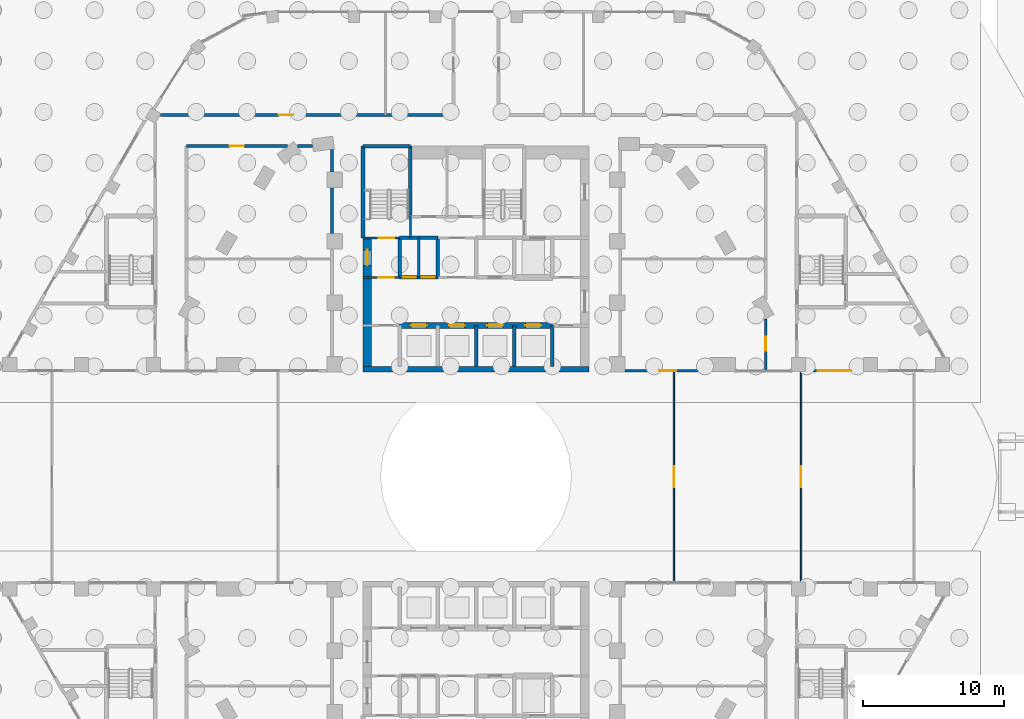
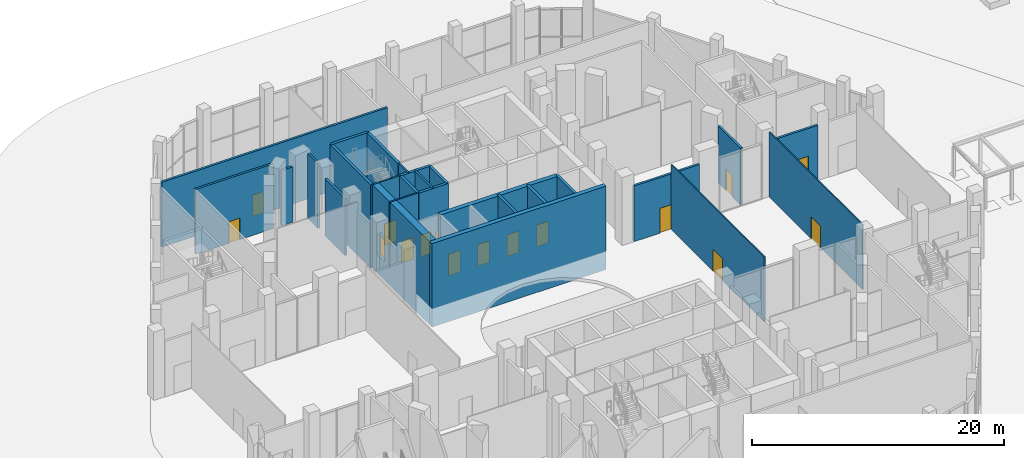
# One storey, part 28 of 44: 27 walls, 16 doors, 16 openings.
"""IFC4 building model written with IfcOpenShell, lengths in metres."""

from ifc_helpers import new_model, si_unit, direction, frame, frame_2d, origin, place, context, subcontext, project, spatial, rectangle, extrude, material, layer, layer_set, type_object, element, fill, save


model = new_model("IFC4")

# Units and contexts
model_context = context("Model", 3, precision=1e-05, world=origin(), true_north=direction((0.0, 1.0)))
body_context = subcontext(model_context, "Body", "Model", "MODEL_VIEW")
ifc_project = project(units=[si_unit("LENGTHUNIT", "METRE"), si_unit("AREAUNIT", "SQUARE_METRE"), si_unit("VOLUMEUNIT", "CUBIC_METRE"), si_unit("PLANEANGLEUNIT", "RADIAN"), si_unit("MASSUNIT", "GRAM", prefix="KILO")], contexts=[model_context])

# Site, building, storey
site_placement = place(None, origin())
site = spatial("IfcSite", under=ifc_project, at=site_placement, CompositionType="ELEMENT")
building_placement = place(site_placement, origin())
building = spatial("IfcBuilding", under=site, at=building_placement, Name="Nakaniwa Court", CompositionType="ELEMENT")
storey_placement = place(building_placement, origin())
storey = spatial("IfcBuildingStorey", under=building, at=storey_placement, Name="L00", CompositionType="ELEMENT", Elevation=0.0)

# Wall, opening, door
ifc_material_1 = material(Name="Acoustic double stud partition")
ifc_layer_1 = layer(ifc_material_1, 0.199951171875)
ifc_layer_set_1 = layer_set([ifc_layer_1], Name="Acoustic double stud partition")
wall_type_1 = type_object("IfcWallType", Name="Acoustic double stud partition 200", PredefinedType="PARTITIONING", material=ifc_layer_set_1)
wall_1_placement = place(storey_placement, frame((57.676513671875, 105.60009765625, 0.0), z_axis=(0.0, 0.0, 1.0), x_axis=(1.0, 0.0, 0.0)))
wall_1 = element("IfcWall", 1, at=wall_1_placement, inside=storey, type_object=wall_type_1, Name="Partition PW-083", PredefinedType="PARTITIONING", context=body_context, shape_type="SweptSolid", body=[
    extrude(rectangle(XDim=20.723388671875, YDim=0.199951171875, at=frame_2d((10.36181640625, 0.0))), origin(), (0.0, 0.0, 1.0), 6.300048828125),
])
opening_1_placement = place(wall_1_placement, frame((8.373046875, 0.0, 0.0)))
opening_1 = element("IfcOpeningElement", 2, at=opening_1_placement, cuts=wall_1, Name="Opening D-02-05", PredefinedType="OPENING", context=body_context, shape_type="SweptSolid", body=[
    extrude(rectangle(XDim=1.0, YDim=2.10009765625, at=frame_2d((0.5, 1.050048828125))), frame((0.0, 0.10986328125, 0.0), z_axis=(0.0, -1.0, 0.0), x_axis=(1.0, 0.0, 0.0)), (0.0, 0.0, 1.0), 0.219970703125),
])
ifc_material_2 = material(Name="Solid core timber door set, black veneer", Category="wood")
door_type_1 = type_object("IfcDoorType", Name="Internal door 1000", OperationType="NOTDEFINED", PredefinedType="DOOR", material=ifc_material_2)
door_1_placement = place(opening_1_placement, origin())
door_1 = element("IfcDoor", 3, at=door_1_placement, inside=storey, type_object=door_type_1, Name="Door D-02-05 L00-036", OperationType="SINGLE_SWING_LEFT", OverallHeight=2.10009765625, OverallWidth=1.0, PredefinedType="DOOR", context=body_context, shape_type="SweptSolid", body=[
    extrude(rectangle(XDim=1.0, YDim=2.10009765625, at=frame_2d((0.5, 1.050048828125))), frame((0.0, 0.02490234375, 0.0), z_axis=(0.0, -1.0, 0.0), x_axis=(1.0, 0.0, 0.0)), (0.0, 0.0, 1.0), 0.050048828125),
])
fill(opening_1, door_1)

wall_2_placement = place(storey_placement, frame((100.5, 87.580078125, 0.0), z_axis=(0.0, 0.0, 1.0), x_axis=(0.0, 1.0, 0.0)))
wall_2 = element("IfcWall", 4, at=wall_2_placement, inside=storey, type_object=wall_type_1, Name="Partition PW-087", PredefinedType="PARTITIONING", context=body_context, shape_type="SweptSolid", body=[
    extrude(rectangle(XDim=3.569091796875, YDim=0.199951171875, at=frame_2d((1.78466796875, 0.0))), origin(), (0.0, 0.0, 1.0), 5.530029296875),
])
opening_2_placement = place(wall_2_placement, frame((1.343017578125, 0.0, 0.0)))
opening_2 = element("IfcOpeningElement", 5, at=opening_2_placement, cuts=wall_2, Name="Opening D-02-09", PredefinedType="OPENING", context=body_context, shape_type="SweptSolid", body=[
    extrude(rectangle(XDim=1.0, YDim=2.10009765625, at=frame_2d((0.5, 1.050048828125))), frame((0.0, 0.10986328125, 0.0), z_axis=(0.0, -1.0, 0.0), x_axis=(1.0, 0.0, 0.0)), (0.0, 0.0, 1.0), 0.219970703125),
])
door_2_placement = place(opening_2_placement, origin())
door_2 = element("IfcDoor", 6, at=door_2_placement, inside=storey, type_object=door_type_1, Name="Door D-02-09 L00-040", OperationType="SINGLE_SWING_LEFT", OverallHeight=2.10009765625, OverallWidth=1.0, PredefinedType="DOOR", context=body_context, shape_type="SweptSolid", body=[
    extrude(rectangle(XDim=1.0, YDim=2.10009765625, at=frame_2d((0.5, 1.050048828125))), frame((0.0, 0.02490234375, 0.0), z_axis=(0.0, -1.0, 0.0), x_axis=(1.0, 0.0, 0.0)), (0.0, 0.0, 1.0), 0.050048828125),
])
fill(opening_2, door_2)

wall_3_placement = place(storey_placement, frame((66.64208984375, 103.39990234375, 0.0), z_axis=(0.0, 0.0, 1.0), x_axis=(-1.0, 0.0, 0.0)))
wall_3 = element("IfcWall", 7, at=wall_3_placement, inside=storey, type_object=wall_type_1, Name="Partition PW-111", PredefinedType="PARTITIONING", context=body_context, shape_type="SweptSolid", body=[
    extrude(rectangle(XDim=7.14013671875, YDim=0.199951171875, at=frame_2d((3.570068359375, 0.0))), origin(), (0.0, 0.0, 1.0), 6.300048828125),
])
opening_3_placement = place(wall_3_placement, frame((3.072998046875, 0.0, 0.0)))
opening_3 = element("IfcOpeningElement", 8, at=opening_3_placement, cuts=wall_3, Name="Opening D-02-12", PredefinedType="OPENING", context=body_context, shape_type="SweptSolid", body=[
    extrude(rectangle(XDim=1.0, YDim=2.10009765625, at=frame_2d((0.5, 1.050048828125))), frame((0.0, 0.10986328125, 0.0), z_axis=(0.0, -1.0, 0.0), x_axis=(1.0, 0.0, 0.0)), (0.0, 0.0, 1.0), 0.219970703125),
])
door_3_placement = place(opening_3_placement, origin())
door_3 = element("IfcDoor", 9, at=door_3_placement, inside=storey, type_object=door_type_1, Name="Door D-02-12 L00-043", OperationType="SINGLE_SWING_RIGHT", OverallHeight=2.10009765625, OverallWidth=1.0, PredefinedType="DOOR", context=body_context, shape_type="SweptSolid", body=[
    extrude(rectangle(XDim=1.0, YDim=2.10009765625, at=frame_2d((0.5, 1.050048828125))), frame((0.0, 0.02490234375, 0.0), z_axis=(0.0, -1.0, 0.0), x_axis=(1.0, 0.0, 0.0)), (0.0, 0.0, 1.0), 0.050048828125),
])
fill(opening_3, door_3)

# Walls
wall_4_placement = place(storey_placement, frame((67.364501953125, 103.39990234375, 0.0), z_axis=(0.0, 0.0, 1.0), x_axis=(1.0, 0.0, 0.0)))
element("IfcWall", 10, at=wall_4_placement, inside=storey, type_object=wall_type_1, Name="Partition PW-112", PredefinedType="PARTITIONING", context=body_context, shape_type="SweptSolid", body=[
    extrude(rectangle(XDim=1.056884765625, YDim=0.199951171875, at=frame_2d((0.5283203125, 0.0))), origin(), (0.0, 0.0, 1.0), 5.3798828125),
])
wall_5_placement = place(storey_placement, frame((69.800048828125, 97.217041015625, 0.0), z_axis=(0.0, 0.0, 1.0), x_axis=(0.0, 1.0, 0.0)))
element("IfcWall", 11, at=wall_5_placement, inside=storey, type_object=wall_type_1, Name="Partition PW-121", PredefinedType="PARTITIONING", context=body_context, shape_type="SweptSolid", body=[
    extrude(rectangle(XDim=3.216064453125, YDim=0.199951171875, at=frame_2d((1.60791015625, 0.0))), origin(), (0.0, 0.0, 1.0), 5.530029296875),
])
wall_6_placement = place(storey_placement, frame((69.800048828125, 101.56689453125, 0.0), z_axis=(0.0, 0.0, 1.0), x_axis=(0.0, 1.0, 0.0)))
element("IfcWall", 12, at=wall_6_placement, inside=storey, type_object=wall_type_1, Name="Partition PW-122", PredefinedType="PARTITIONING", context=body_context, shape_type="SweptSolid", body=[
    extrude(rectangle(XDim=1.59423828125, YDim=0.199951171875, at=frame_2d((0.797119140625, 0.0))), origin(), (0.0, 0.0, 1.0), 6.300048828125),
])

# Wall, opening, door
ifc_material_3 = material(Name="Charcoal ceramic cladding")
ifc_layer_2 = layer(ifc_material_3, 0.02, Name="Ceramic cladding")
ifc_material_4 = material(Name="Ventilated air cavity")
ifc_layer_3 = layer(ifc_material_4, 0.04, ventilated=True, Name="Ventilated cavity")
ifc_material_5 = material(Name="Mineral wool insulation")
ifc_layer_4 = layer(ifc_material_5, 0.05, Name="Insulation")
ifc_material_6 = material(Name="Cement bonded sheathing board")
ifc_layer_5 = layer(ifc_material_6, 0.012, Name="Sheathing")
ifc_material_7 = material(Name="Cold-formed galvanised stud frame with mineral wool infill")
ifc_layer_6 = layer(ifc_material_7, 0.05, Name="Stud frame")
ifc_material_8 = material(Name="Fire-rated gypsum plasterboard lining")
ifc_layer_7 = layer(ifc_material_8, 0.028, Name="Lining")
ifc_layer_set_2 = layer_set([ifc_layer_2, ifc_layer_3, ifc_layer_4, ifc_layer_5, ifc_layer_6, ifc_layer_7], Name="Charcoal ceramic faced external wall system")
wall_type_2 = type_object("IfcWallType", Name="Black ceramic faced external wall 200", PredefinedType="SOLIDWALL", material=ifc_layer_set_2)
wall_7_placement = place(storey_placement, frame((90.5458984375, 87.5, 0.0), z_axis=(0.0, 0.0, 1.0), x_axis=(1.0, 0.0, 0.0)))
wall_7 = element("IfcWall", 13, at=wall_7_placement, inside=storey, type_object=wall_type_2, Name="L00 entrance wall 35", PredefinedType="SOLIDWALL", context=body_context, shape_type="SweptSolid", body=[
    extrude(rectangle(XDim=6.01611328125, YDim=0.199951171875, at=frame_2d((3.008056640625, 0.0))), origin(), (0.0, 0.0, 1.0), 5.39990234375),
])
opening_4_placement = place(wall_7_placement, frame((2.407958984375, 0.0, 0.0)))
opening_4 = element("IfcOpeningElement", 14, at=opening_4_placement, cuts=wall_7, Name="Opening XD3.17", PredefinedType="OPENING", context=body_context, shape_type="SweptSolid", body=[
    extrude(rectangle(XDim=1.199951171875, YDim=2.39990234375, at=frame_2d((0.60009765625, 1.199951171875))), frame((0.0, 0.10986328125, 0.0), z_axis=(0.0, -1.0, 0.0), x_axis=(1.0, 0.0, 0.0)), (0.0, 0.0, 1.0), 0.219970703125),
])
ifc_material_9 = material(Name="Black powder-coated aluminium frame with dark laminated glass", Category="aluminium")
door_type_2 = type_object("IfcDoorType", Name="Service door 1200x2400", OperationType="SINGLE_SWING_LEFT", PredefinedType="DOOR", material=ifc_material_9)
door_4_placement = place(opening_4_placement, origin())
door_4 = element("IfcDoor", 15, at=door_4_placement, inside=storey, type_object=door_type_2, Name="L00 service door 35-0", OperationType="SINGLE_SWING_LEFT", OverallHeight=2.39990234375, OverallWidth=1.199951171875, PredefinedType="DOOR", context=body_context, shape_type="SweptSolid", body=[
    extrude(rectangle(XDim=1.199951171875, YDim=2.39990234375, at=frame_2d((0.60009765625, 1.199951171875))), frame((0.0, 0.02490234375, 0.0), z_axis=(0.0, -1.0, 0.0), x_axis=(1.0, 0.0, 0.0)), (0.0, 0.0, 1.0), 0.050048828125),
])
fill(opening_4, door_4)

wall_8_placement = place(storey_placement, frame((103.319091796875, 87.5, 0.0), z_axis=(0.0, 0.0, 1.0), x_axis=(1.0, 0.0, 0.0)))
wall_8 = element("IfcWall", 16, at=wall_8_placement, inside=storey, type_object=wall_type_2, Name="L00 entrance wall 37", PredefinedType="SOLIDWALL", context=body_context, shape_type="SweptSolid", body=[
    extrude(rectangle(XDim=4.093994140625, YDim=0.199951171875, at=frame_2d((2.046875, 0.0))), origin(), (0.0, 0.0, 1.0), 5.39990234375),
])
opening_5_placement = place(wall_8_placement, frame((0.846923828125, 0.0, 0.0)))
opening_5 = element("IfcOpeningElement", 17, at=opening_5_placement, cuts=wall_8, Name="Opening XD2.18", PredefinedType="OPENING", context=body_context, shape_type="SweptSolid", body=[
    extrude(rectangle(XDim=2.39990234375, YDim=2.699951171875, at=frame_2d((1.199951171875, 1.35009765625))), frame((0.0, 0.10986328125, 0.0), z_axis=(0.0, -1.0, 0.0), x_axis=(1.0, 0.0, 0.0)), (0.0, 0.0, 1.0), 0.219970703125),
])
door_type_3 = type_object("IfcDoorType", Name="Residents entrance double door 2400x2700", OperationType="DOUBLE_DOOR_DOUBLE_SWING", PredefinedType="DOOR", material=ifc_material_9)
door_5_placement = place(opening_5_placement, origin())
door_5 = element("IfcDoor", 18, at=door_5_placement, inside=storey, type_object=door_type_3, Name="L00 residents entrance double door 37-0", OperationType="DOUBLE_DOOR_DOUBLE_SWING", OverallHeight=2.699951171875, OverallWidth=2.39990234375, PredefinedType="DOOR", context=body_context, shape_type="SweptSolid", body=[
    extrude(rectangle(XDim=2.39990234375, YDim=2.699951171875, at=frame_2d((1.199951171875, 1.35009765625))), frame((0.0, 0.02490234375, 0.0), z_axis=(0.0, -1.0, 0.0), x_axis=(1.0, 0.0, 0.0)), (0.0, 0.0, 1.0), 0.050048828125),
])
fill(opening_5, door_5)

ifc_material_10 = material(Name="Blockwork partition", Category="masonry")
ifc_layer_8 = layer(ifc_material_10, 0.14990234375)
ifc_layer_set_3 = layer_set([ifc_layer_8], Name="Blockwork partition")
wall_type_3 = type_object("IfcWallType", Name="Blockwork partition 150", PredefinedType="PARTITIONING", material=ifc_layer_set_3)
wall_9_placement = place(storey_placement, frame((72.0, 94.10009765625, 0.0), z_axis=(0.0, 0.0, 1.0), x_axis=(1.0, 0.0, 0.0)))
wall_9 = element("IfcWall", 19, at=wall_9_placement, inside=storey, type_object=wall_type_3, Name="Partition PW-016", PredefinedType="PARTITIONING", context=body_context, shape_type="SweptSolid", body=[
    extrude(rectangle(XDim=2.60302734375, YDim=0.14990234375, at=frame_2d((1.301513671875, 0.0))), origin(), (0.0, 0.0, 1.0), 6.300048828125),
])
opening_6_placement = place(wall_9_placement, frame((1.074951171875, 0.0, 0.0)))
opening_6 = element("IfcOpeningElement", 20, at=opening_6_placement, cuts=wall_9, Name="Opening D-08-01", PredefinedType="OPENING", context=body_context, shape_type="SweptSolid", body=[
    extrude(rectangle(XDim=1.10009765625, YDim=2.10009765625, at=frame_2d((0.550048828125, 1.050048828125))), frame((0.0, 0.0849609375, 0.0), z_axis=(0.0, -1.0, 0.0), x_axis=(1.0, 0.0, 0.0)), (0.0, 0.0, 1.0), 0.169921875),
])
ifc_material_11 = material(Name="Fire rated steel door set", Category="steel")
door_type_4 = type_object("IfcDoorType", Name="Stair lobby door 1100", OperationType="NOTDEFINED", PredefinedType="DOOR", material=ifc_material_11)
door_6_placement = place(opening_6_placement, origin())
door_6 = element("IfcDoor", 21, at=door_6_placement, inside=storey, type_object=door_type_4, Name="Door D-08-01 L00-003", OperationType="SINGLE_SWING_RIGHT", OverallHeight=2.10009765625, OverallWidth=1.10009765625, PredefinedType="DOOR", context=body_context, shape_type="SweptSolid", body=[
    extrude(rectangle(XDim=1.10009765625, YDim=2.10009765625, at=frame_2d((0.550048828125, 1.050048828125))), frame((0.0, 0.02490234375, 0.0), z_axis=(0.0, -1.0, 0.0), x_axis=(1.0, 0.0, 0.0)), (0.0, 0.0, 1.0), 0.050048828125),
])
fill(opening_6, door_6)

# Wall
wall_10_placement = place(storey_placement, frame((75.949951171875, 94.10009765625, 0.0), z_axis=(0.0, 0.0, 1.0), x_axis=(0.0, 1.0, 0.0)))
element("IfcWall", 22, at=wall_10_placement, inside=storey, type_object=wall_type_3, Name="Partition PW-023", PredefinedType="PARTITIONING", context=body_context, shape_type="SweptSolid", body=[
    extrude(rectangle(XDim=2.7998046875, YDim=0.14990234375, at=frame_2d((1.39990234375, 0.0))), origin(), (0.0, 0.0, 1.0), 6.300048828125),
])

# Wall, opening, door
ifc_material_12 = material(Name="Concrete C100/115", Category="concrete")
ifc_layer_9 = layer(ifc_material_12, 0.60009765625)
ifc_layer_set_4 = layer_set([ifc_layer_9], Name="Concrete C100/115")
wall_type_4 = type_object("IfcWallType", Name="Concrete core side wall 600 C100", PredefinedType="SHEAR", material=ifc_layer_set_4)
wall_11_placement = place(storey_placement, frame((72.300048828125, 96.89990234375, -1.800048828125), z_axis=(0.0, 0.0, 1.0), x_axis=(0.0, -1.0, 0.0)))
wall_11 = element("IfcWall", 23, at=wall_11_placement, inside=storey, type_object=wall_type_4, Name="Core wall SW-04", PredefinedType="SHEAR", context=body_context, shape_type="SweptSolid", body=[
    extrude(rectangle(XDim=9.099853515625, YDim=0.60009765625, at=frame_2d((4.5498046875, 0.0))), origin(), (0.0, 0.0, 1.0), 8.10009765625),
])
opening_7_placement = place(wall_11_placement, frame((0.85009765625, 0.0, 1.800048828125)))
opening_7 = element("IfcOpeningElement", 24, at=opening_7_placement, cuts=wall_11, Name="Opening D-09-03", PredefinedType="OPENING", context=body_context, shape_type="SweptSolid", body=[
    extrude(rectangle(XDim=1.10009765625, YDim=2.10009765625, at=frame_2d((0.550048828125, 1.050048828125))), frame((0.0, 0.31005859375, 0.0), z_axis=(0.0, -1.0, 0.0), x_axis=(1.0, 0.0, 0.0)), (0.0, 0.0, 1.0), 0.6201171875),
])
door_type_5 = type_object("IfcDoorType", Name="Stair door 1100", OperationType="NOTDEFINED", PredefinedType="DOOR", material=ifc_material_11)
door_7_placement = place(opening_7_placement, origin())
door_7 = element("IfcDoor", 25, at=door_7_placement, inside=storey, type_object=door_type_5, Name="Door D-09-03 L00-027", OperationType="SINGLE_SWING_LEFT", OverallHeight=2.10009765625, OverallWidth=1.10009765625, PredefinedType="DOOR", context=body_context, shape_type="SweptSolid", body=[
    extrude(rectangle(XDim=1.10009765625, YDim=2.10009765625, at=frame_2d((0.550048828125, 1.050048828125))), frame((0.0, 0.02490234375, 0.0), z_axis=(0.0, -1.0, 0.0), x_axis=(1.0, 0.0, 0.0)), (0.0, 0.0, 1.0), 0.050048828125),
])
fill(opening_7, door_7)

# Wall, openings, doors
ifc_layer_10 = layer(ifc_material_12, 0.39990234375)
ifc_layer_set_5 = layer_set([ifc_layer_10], Name="Concrete C100/115")
wall_type_5 = type_object("IfcWallType", Name="Concrete core spine wall 400 C100", PredefinedType="SHEAR", material=ifc_layer_set_5)
wall_12_placement = place(storey_placement, frame((74.60009765625, 90.699951171875, -1.800048828125), z_axis=(0.0, 0.0, 1.0), x_axis=(1.0, 0.0, 0.0)))
wall_12 = element("IfcWall", 26, at=wall_12_placement, inside=storey, type_object=wall_type_5, Name="Core wall SW-07", PredefinedType="SHEAR", context=body_context, shape_type="SweptSolid", body=[
    extrude(rectangle(XDim=10.7998046875, YDim=0.39990234375, at=frame_2d((5.39990234375, 0.0))), origin(), (0.0, 0.0, 1.0), 8.10009765625),
])
opening_8_placement = place(wall_12_placement, frame((0.800048828125, 0.0, 1.800048828125)))
opening_8 = element("IfcOpeningElement", 27, at=opening_8_placement, cuts=wall_12, Name="Opening LD01", PredefinedType="OPENING", context=body_context, shape_type="SweptSolid", body=[
    extrude(rectangle(XDim=1.10009765625, YDim=2.10009765625, at=frame_2d((0.550048828125, 1.050048828125))), frame((0.0, 0.2099609375, 0.0), z_axis=(0.0, -1.0, 0.0), x_axis=(1.0, 0.0, 0.0)), (0.0, 0.0, 1.0), 0.419921875),
])
opening_9_placement = place(wall_12_placement, frame((3.5, 0.0, 1.800048828125)))
opening_9 = element("IfcOpeningElement", 28, at=opening_9_placement, cuts=wall_12, Name="Opening LD02", PredefinedType="OPENING", context=body_context, shape_type="SweptSolid", body=[
    extrude(rectangle(XDim=1.10009765625, YDim=2.10009765625, at=frame_2d((0.550048828125, 1.050048828125))), frame((0.0, 0.2099609375, 0.0), z_axis=(0.0, -1.0, 0.0), x_axis=(1.0, 0.0, 0.0)), (0.0, 0.0, 1.0), 0.419921875),
])
opening_10_placement = place(wall_12_placement, frame((6.199951171875, 0.0, 1.800048828125)))
opening_10 = element("IfcOpeningElement", 29, at=opening_10_placement, cuts=wall_12, Name="Opening LD03", PredefinedType="OPENING", context=body_context, shape_type="SweptSolid", body=[
    extrude(rectangle(XDim=1.10009765625, YDim=2.10009765625, at=frame_2d((0.550048828125, 1.050048828125))), frame((0.0, 0.2099609375, 0.0), z_axis=(0.0, -1.0, 0.0), x_axis=(1.0, 0.0, 0.0)), (0.0, 0.0, 1.0), 0.419921875),
])
opening_11_placement = place(wall_12_placement, frame((8.89990234375, 0.0, 1.800048828125)))
opening_11 = element("IfcOpeningElement", 30, at=opening_11_placement, cuts=wall_12, Name="Opening LD04", PredefinedType="OPENING", context=body_context, shape_type="SweptSolid", body=[
    extrude(rectangle(XDim=1.10009765625, YDim=2.10009765625, at=frame_2d((0.550048828125, 1.050048828125))), frame((0.0, 0.2099609375, 0.0), z_axis=(0.0, -1.0, 0.0), x_axis=(1.0, 0.0, 0.0)), (0.0, 0.0, 1.0), 0.419921875),
])
ifc_material_13 = material(Name="Stainless steel sliding lift landing door", Category="steel")
door_type_6 = type_object("IfcDoorType", Name="Lift landing door 1100", OperationType="NOTDEFINED", PredefinedType="DOOR", material=ifc_material_13)
door_8_placement = place(opening_8_placement, origin())
door_8 = element("IfcDoor", 31, at=door_8_placement, inside=storey, type_object=door_type_6, Name="Lift landing door LD01 L00-001", OperationType="SLIDING_TO_LEFT", OverallHeight=2.10009765625, OverallWidth=1.10009765625, PredefinedType="DOOR", context=body_context, shape_type="SweptSolid", body=[
    extrude(rectangle(XDim=1.10009765625, YDim=2.10009765625, at=frame_2d((0.550048828125, 1.050048828125))), frame((0.0, 0.02490234375, 0.0), z_axis=(0.0, -1.0, 0.0), x_axis=(1.0, 0.0, 0.0)), (0.0, 0.0, 1.0), 0.050048828125),
])
fill(opening_8, door_8)
door_9_placement = place(opening_9_placement, origin())
door_9 = element("IfcDoor", 32, at=door_9_placement, inside=storey, type_object=door_type_6, Name="Lift landing door LD02 L00-002", OperationType="SLIDING_TO_LEFT", OverallHeight=2.10009765625, OverallWidth=1.10009765625, PredefinedType="DOOR", context=body_context, shape_type="SweptSolid", body=[
    extrude(rectangle(XDim=1.10009765625, YDim=2.10009765625, at=frame_2d((0.550048828125, 1.050048828125))), frame((0.0, 0.02490234375, 0.0), z_axis=(0.0, -1.0, 0.0), x_axis=(1.0, 0.0, 0.0)), (0.0, 0.0, 1.0), 0.050048828125),
])
fill(opening_9, door_9)
door_10_placement = place(opening_10_placement, origin())
door_10 = element("IfcDoor", 33, at=door_10_placement, inside=storey, type_object=door_type_6, Name="Lift landing door LD03 L00-003", OperationType="SLIDING_TO_LEFT", OverallHeight=2.10009765625, OverallWidth=1.10009765625, PredefinedType="DOOR", context=body_context, shape_type="SweptSolid", body=[
    extrude(rectangle(XDim=1.10009765625, YDim=2.10009765625, at=frame_2d((0.550048828125, 1.050048828125))), frame((0.0, 0.02490234375, 0.0), z_axis=(0.0, -1.0, 0.0), x_axis=(1.0, 0.0, 0.0)), (0.0, 0.0, 1.0), 0.050048828125),
])
fill(opening_10, door_10)
door_11_placement = place(opening_11_placement, origin())
door_11 = element("IfcDoor", 34, at=door_11_placement, inside=storey, type_object=door_type_6, Name="Lift landing door LD04 L00-004", OperationType="SLIDING_TO_LEFT", OverallHeight=2.10009765625, OverallWidth=1.10009765625, PredefinedType="DOOR", context=body_context, shape_type="SweptSolid", body=[
    extrude(rectangle(XDim=1.10009765625, YDim=2.10009765625, at=frame_2d((0.550048828125, 1.050048828125))), frame((0.0, 0.02490234375, 0.0), z_axis=(0.0, -1.0, 0.0), x_axis=(1.0, 0.0, 0.0)), (0.0, 0.0, 1.0), 0.050048828125),
])
fill(opening_11, door_11)

# Wall, opening, door
ifc_layer_11 = layer(ifc_material_12, 0.14990234375)
ifc_layer_set_6 = layer_set([ifc_layer_11], Name="Concrete C100/115")
wall_type_6 = type_object("IfcWallType", Name="Concrete core wall 150 C100", PredefinedType="SHEAR", material=ifc_layer_set_6)
wall_13_placement = place(storey_placement, frame((74.60009765625, 96.89990234375, -1.800048828125), z_axis=(0.0, 0.0, 1.0), x_axis=(-1.0, 0.0, 0.0)))
wall_13 = element("IfcWall", 35, at=wall_13_placement, inside=storey, type_object=wall_type_6, Name="Core wall SW-22", PredefinedType="SHEAR", context=body_context, shape_type="SweptSolid", body=[
    extrude(rectangle(XDim=2.60009765625, YDim=0.14990234375, at=frame_2d((1.300048828125, 0.0))), origin(), (0.0, 0.0, 1.0), 8.10009765625),
])
opening_12_placement = place(wall_13_placement, frame((0.3701171875, 0.0, 1.800048828125)))
opening_12 = element("IfcOpeningElement", 36, at=opening_12_placement, cuts=wall_13, Name="Opening D-09-01", PredefinedType="OPENING", context=body_context, shape_type="SweptSolid", body=[
    extrude(rectangle(XDim=1.10009765625, YDim=2.10009765625, at=frame_2d((0.550048828125, 1.050048828125))), frame((0.0, 0.0849609375, 0.0), z_axis=(0.0, -1.0, 0.0), x_axis=(1.0, 0.0, 0.0)), (0.0, 0.0, 1.0), 0.169921875),
])
door_12_placement = place(opening_12_placement, origin())
door_12 = element("IfcDoor", 37, at=door_12_placement, inside=storey, type_object=door_type_5, Name="Door D-09-01 L00-012", OperationType="SINGLE_SWING_RIGHT", OverallHeight=2.10009765625, OverallWidth=1.10009765625, PredefinedType="DOOR", context=body_context, shape_type="SweptSolid", body=[
    extrude(rectangle(XDim=1.10009765625, YDim=2.10009765625, at=frame_2d((0.550048828125, 1.050048828125))), frame((0.0, 0.02490234375, 0.0), z_axis=(0.0, -1.0, 0.0), x_axis=(1.0, 0.0, 0.0)), (0.0, 0.0, 1.0), 0.050048828125),
])
fill(opening_12, door_12)

# Walls
wall_14_placement = place(storey_placement, frame((75.35009765625, 96.89990234375, -1.800048828125), z_axis=(0.0, 0.0, 1.0), x_axis=(0.0, 1.0, 0.0)))
element("IfcWall", 38, at=wall_14_placement, inside=storey, type_object=wall_type_6, Name="Core wall SW-27", PredefinedType="SHEAR", context=body_context, shape_type="SweptSolid", body=[
    extrude(rectangle(XDim=1.503173828125, YDim=0.14990234375, at=frame_2d((0.75146484375, 0.0))), origin(), (0.0, 0.0, 1.0), 8.10009765625),
])
ifc_layer_12 = layer(ifc_material_12, 0.25)
ifc_layer_set_7 = layer_set([ifc_layer_12], Name="Concrete C100/115")
wall_type_7 = type_object("IfcWallType", Name="Concrete core wall 250 C100", PredefinedType="SHEAR", material=ifc_layer_set_7)
wall_15_placement = place(storey_placement, frame((72.0, 103.39990234375, -1.800048828125), z_axis=(0.0, 0.0, 1.0), x_axis=(1.0, 0.0, 0.0)))
element("IfcWall", 39, at=wall_15_placement, inside=storey, type_object=wall_type_7, Name="Core wall SW-29", PredefinedType="SHEAR", context=body_context, shape_type="SweptSolid", body=[
    extrude(rectangle(XDim=3.35009765625, YDim=0.25, at=frame_2d((1.675048828125, 0.0))), origin(), (0.0, 0.0, 1.0), 8.10009765625),
])
wall_16_placement = place(storey_placement, frame((72.0, 96.89990234375, -1.800048828125), z_axis=(0.0, 0.0, 1.0), x_axis=(0.0, 1.0, 0.0)))
element("IfcWall", 40, at=wall_16_placement, inside=storey, type_object=wall_type_7, Name="Core wall SW-31", PredefinedType="SHEAR", context=body_context, shape_type="SweptSolid", body=[
    extrude(rectangle(XDim=6.5, YDim=0.25, at=frame_2d((3.25, 0.0))), origin(), (0.0, 0.0, 1.0), 8.10009765625),
])
ifc_layer_13 = layer(ifc_material_12, 0.39990234375)
ifc_layer_set_8 = layer_set([ifc_layer_13], Name="Concrete C100/115")
wall_type_8 = type_object("IfcWallType", Name="Concrete core well wall 400 C100", PredefinedType="SHEAR", material=ifc_layer_set_8)
wall_17_placement = place(storey_placement, frame((72.00390625, 87.60009765625, -1.800048828125), z_axis=(0.0, 0.0, 1.0), x_axis=(1.0, 0.0, 0.0)))
element("IfcWall", 41, at=wall_17_placement, inside=storey, type_object=wall_type_8, Name="Core wall SW-169", PredefinedType="SHEAR", context=body_context, shape_type="SweptSolid", body=[
    extrude(rectangle(XDim=15.9921875, YDim=0.39990234375, at=frame_2d((7.99609375, 0.0))), origin(), (0.0, 0.0, 1.0), 8.10009765625),
])
ifc_layer_14 = layer(ifc_material_12, 0.25)
ifc_layer_set_9 = layer_set([ifc_layer_14], Name="Concrete C100/115")
wall_type_9 = type_object("IfcWallType", Name="Concrete shaft wall 250 C100", PredefinedType="SHEAR", material=ifc_layer_set_9)
for number, where, z_axis, x_axis, name in (
    (42, (74.60009765625, 94.10009765625, -1.800048828125), (0.0, 0.0, 1.0), (0.0, 1.0, 0.0), "Core wall SW-02"),
    (43, (77.300048828125, 94.10009765625, -1.800048828125), (0.0, 0.0, 1.0), (0.0, 1.0, 0.0), "Core wall SW-06"),
):
    element("IfcWall", number, at=place(storey_placement, frame(where, z_axis=z_axis, x_axis=x_axis)), inside=storey, type_object=wall_type_9, Name=name, PredefinedType="SHEAR", context=body_context, shape_type="SweptSolid", body=[
        extrude(rectangle(XDim=2.7998046875, YDim=0.25, at=frame_2d((1.39990234375, 0.0))), origin(), (0.0, 0.0, 1.0), 8.10009765625),
    ])
for number, where, z_axis, x_axis, name in (
    (44, (80.0, 87.800048828125, -1.800048828125), (0.0, 0.0, 1.0), (0.0, 1.0, 0.0), "Core wall SW-08"),
    (45, (82.699951171875, 87.800048828125, -1.800048828125), (0.0, 0.0, 1.0), (0.0, 1.0, 0.0), "Core wall SW-10"),
    (46, (85.39990234375, 87.800048828125, -1.800048828125), (0.0, 0.0, 1.0), (0.0, 1.0, 0.0), "Core wall SW-12"),
):
    element("IfcWall", number, at=place(storey_placement, frame(where, z_axis=z_axis, x_axis=x_axis)), inside=storey, type_object=wall_type_9, Name=name, PredefinedType="SHEAR", context=body_context, shape_type="SweptSolid", body=[
        extrude(rectangle(XDim=2.89990234375, YDim=0.25, at=frame_2d((1.449951171875, 0.0))), origin(), (0.0, 0.0, 1.0), 8.10009765625),
    ])

# Wall, openings, doors
wall_18_placement = place(storey_placement, frame((74.596923828125, 94.10009765625, -1.800048828125), z_axis=(0.0, 0.0, 1.0), x_axis=(1.0, 0.0, 0.0)))
wall_18 = element("IfcWall", 47, at=wall_18_placement, inside=storey, type_object=wall_type_9, Name="Core wall SW-19", PredefinedType="SHEAR", context=body_context, shape_type="SweptSolid", body=[
    extrude(rectangle(XDim=2.7060546875, YDim=0.25, at=frame_2d((1.35302734375, 0.0))), origin(), (0.0, 0.0, 1.0), 8.10009765625),
])
opening_13_placement = place(wall_18_placement, frame((0.22802734375, 0.0, 1.800048828125)))
opening_13 = element("IfcOpeningElement", 48, at=opening_13_placement, cuts=wall_18, Name="Opening D-05-03", PredefinedType="OPENING", context=body_context, shape_type="SweptSolid", body=[
    extrude(rectangle(XDim=0.89990234375, YDim=2.10009765625, at=frame_2d((0.449951171875, 1.050048828125))), frame((0.0, 0.135009765625, 0.0), z_axis=(0.0, -1.0, 0.0), x_axis=(1.0, 0.0, 0.0)), (0.0, 0.0, 1.0), 0.27001953125),
])
opening_14_placement = place(wall_18_placement, frame((1.577880859375, 0.0, 1.800048828125)))
opening_14 = element("IfcOpeningElement", 49, at=opening_14_placement, cuts=wall_18, Name="Opening D-05-04", PredefinedType="OPENING", context=body_context, shape_type="SweptSolid", body=[
    extrude(rectangle(XDim=0.89990234375, YDim=2.10009765625, at=frame_2d((0.449951171875, 1.050048828125))), frame((0.0, 0.135009765625, 0.0), z_axis=(0.0, -1.0, 0.0), x_axis=(1.0, 0.0, 0.0)), (0.0, 0.0, 1.0), 0.27001953125),
])
door_type_7 = type_object("IfcDoorType", Name="Service room door 900", OperationType="NOTDEFINED", PredefinedType="DOOR", material=ifc_material_11)
door_13_placement = place(opening_13_placement, origin())
door_13 = element("IfcDoor", 50, at=door_13_placement, inside=storey, type_object=door_type_7, Name="Door D-05-03 L00-004", OperationType="SINGLE_SWING_LEFT", OverallHeight=2.10009765625, OverallWidth=0.89990234375, PredefinedType="DOOR", context=body_context, shape_type="SweptSolid", body=[
    extrude(rectangle(XDim=0.89990234375, YDim=2.10009765625, at=frame_2d((0.449951171875, 1.050048828125))), frame((0.0, 0.02490234375, 0.0), z_axis=(0.0, -1.0, 0.0), x_axis=(1.0, 0.0, 0.0)), (0.0, 0.0, 1.0), 0.050048828125),
])
fill(opening_13, door_13)
door_14_placement = place(opening_14_placement, origin())
door_14 = element("IfcDoor", 51, at=door_14_placement, inside=storey, type_object=door_type_7, Name="Door D-05-04 L00-005", OperationType="SINGLE_SWING_RIGHT", OverallHeight=2.10009765625, OverallWidth=0.89990234375, PredefinedType="DOOR", context=body_context, shape_type="SweptSolid", body=[
    extrude(rectangle(XDim=0.89990234375, YDim=2.10009765625, at=frame_2d((0.449951171875, 1.050048828125))), frame((0.0, 0.02490234375, 0.0), z_axis=(0.0, -1.0, 0.0), x_axis=(1.0, 0.0, 0.0)), (0.0, 0.0, 1.0), 0.050048828125),
])
fill(opening_14, door_14)

# Walls
wall_19_placement = place(storey_placement, frame((74.60009765625, 96.89990234375, -1.800048828125), z_axis=(0.0, 0.0, 1.0), x_axis=(1.0, 0.0, 0.0)))
element("IfcWall", 52, at=wall_19_placement, inside=storey, type_object=wall_type_9, Name="Core wall SW-24", PredefinedType="SHEAR", context=body_context, shape_type="SweptSolid", body=[
    extrude(rectangle(XDim=2.699951171875, YDim=0.25, at=frame_2d((1.35009765625, 0.0))), origin(), (0.0, 0.0, 1.0), 8.10009765625),
])
wall_20_placement = place(storey_placement, frame((75.35009765625, 98.39697265625, -1.800048828125), z_axis=(0.0, 0.0, 1.0), x_axis=(0.0, 1.0, 0.0)))
element("IfcWall", 53, at=wall_20_placement, inside=storey, type_object=wall_type_9, Name="Core wall SW-28", PredefinedType="SHEAR", context=body_context, shape_type="SweptSolid", body=[
    extrude(rectangle(XDim=5.0029296875, YDim=0.25, at=frame_2d((2.50146484375, 0.0))), origin(), (0.0, 0.0, 1.0), 8.10009765625),
])

# Wall, opening, door
ifc_material_14 = material(Name="Single stud plasterboard partition")
ifc_layer_15 = layer(ifc_material_14, 0.10009765625)
ifc_layer_set_10 = layer_set([ifc_layer_15], Name="Single stud plasterboard partition")
wall_type_10 = type_object("IfcWallType", Name="Single stud plasterboard partition 100", PredefinedType="PARTITIONING", material=ifc_layer_set_10)
wall_21_placement = place(storey_placement, frame((94.0, 87.39990234375, 0.0), z_axis=(0.0, 0.0, 1.0), x_axis=(0.0, -1.0, 0.0)))
wall_21 = element("IfcWall", 54, at=wall_21_placement, inside=storey, type_object=wall_type_10, Name="Partition PW-166", PredefinedType="PARTITIONING", context=body_context, shape_type="SweptSolid", body=[
    extrude(rectangle(XDim=14.7998046875, YDim=0.10009765625, at=frame_2d((7.39990234375, 0.0))), origin(), (0.0, 0.0, 1.0), 6.300048828125),
])
opening_15_placement = place(wall_21_placement, frame((6.64990234375, 0.0, 0.0)))
opening_15 = element("IfcOpeningElement", 55, at=opening_15_placement, cuts=wall_21, Name="Opening D-12-03", PredefinedType="OPENING", context=body_context, shape_type="SweptSolid", body=[
    extrude(rectangle(XDim=1.5, YDim=2.10009765625, at=frame_2d((0.75, 1.050048828125))), frame((0.0, 0.06005859375, 0.0), z_axis=(0.0, -1.0, 0.0), x_axis=(1.0, 0.0, 0.0)), (0.0, 0.0, 1.0), 0.1201171875),
])
ifc_material_15 = material(Name="Glazed timber double door set", Category="wood")
door_type_8 = type_object("IfcDoorType", Name="Double door 1500", OperationType="NOTDEFINED", PredefinedType="DOOR", material=ifc_material_15)
door_15_placement = place(opening_15_placement, origin())
door_15 = element("IfcDoor", 56, at=door_15_placement, inside=storey, type_object=door_type_8, Name="Door D-12-03 L00-065", OperationType="DOUBLE_DOOR_SINGLE_SWING", OverallHeight=2.10009765625, OverallWidth=1.5, PredefinedType="DOOR", context=body_context, shape_type="SweptSolid", body=[
    extrude(rectangle(XDim=1.5, YDim=2.10009765625, at=frame_2d((0.75, 1.050048828125))), frame((0.0, 0.02490234375, 0.0), z_axis=(0.0, -1.0, 0.0), x_axis=(1.0, 0.0, 0.0)), (0.0, 0.0, 1.0), 0.050048828125),
])
fill(opening_15, door_15)

wall_22_placement = place(storey_placement, frame((103.0, 87.39990234375, 0.0), z_axis=(0.0, 0.0, 1.0), x_axis=(0.0, -1.0, 0.0)))
wall_22 = element("IfcWall", 57, at=wall_22_placement, inside=storey, type_object=wall_type_10, Name="Partition PW-167", PredefinedType="PARTITIONING", context=body_context, shape_type="SweptSolid", body=[
    extrude(rectangle(XDim=14.7998046875, YDim=0.10009765625, at=frame_2d((7.39990234375, 0.0))), origin(), (0.0, 0.0, 1.0), 6.300048828125),
])
opening_16_placement = place(wall_22_placement, frame((6.64990234375, 0.0, 0.0)))
opening_16 = element("IfcOpeningElement", 58, at=opening_16_placement, cuts=wall_22, Name="Opening D-12-04", PredefinedType="OPENING", context=body_context, shape_type="SweptSolid", body=[
    extrude(rectangle(XDim=1.5, YDim=2.10009765625, at=frame_2d((0.75, 1.050048828125))), frame((0.0, 0.06005859375, 0.0), z_axis=(0.0, -1.0, 0.0), x_axis=(1.0, 0.0, 0.0)), (0.0, 0.0, 1.0), 0.1201171875),
])
door_16_placement = place(opening_16_placement, origin())
door_16 = element("IfcDoor", 59, at=door_16_placement, inside=storey, type_object=door_type_8, Name="Door D-12-04 L00-066", OperationType="DOUBLE_DOOR_SINGLE_SWING", OverallHeight=2.10009765625, OverallWidth=1.5, PredefinedType="DOOR", context=body_context, shape_type="SweptSolid", body=[
    extrude(rectangle(XDim=1.5, YDim=2.10009765625, at=frame_2d((0.75, 1.050048828125))), frame((0.0, 0.02490234375, 0.0), z_axis=(0.0, -1.0, 0.0), x_axis=(1.0, 0.0, 0.0)), (0.0, 0.0, 1.0), 0.050048828125),
])
fill(opening_16, door_16)

save(model, "model.ifc")
